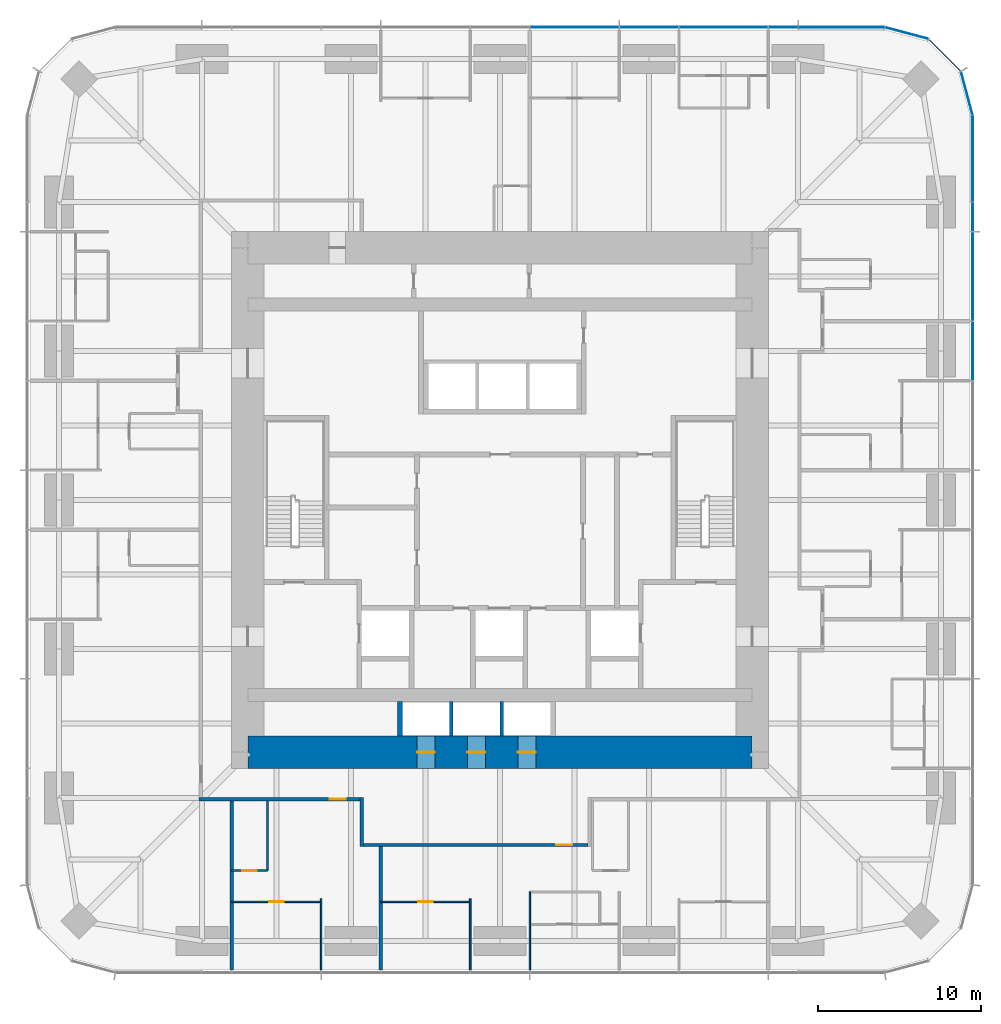
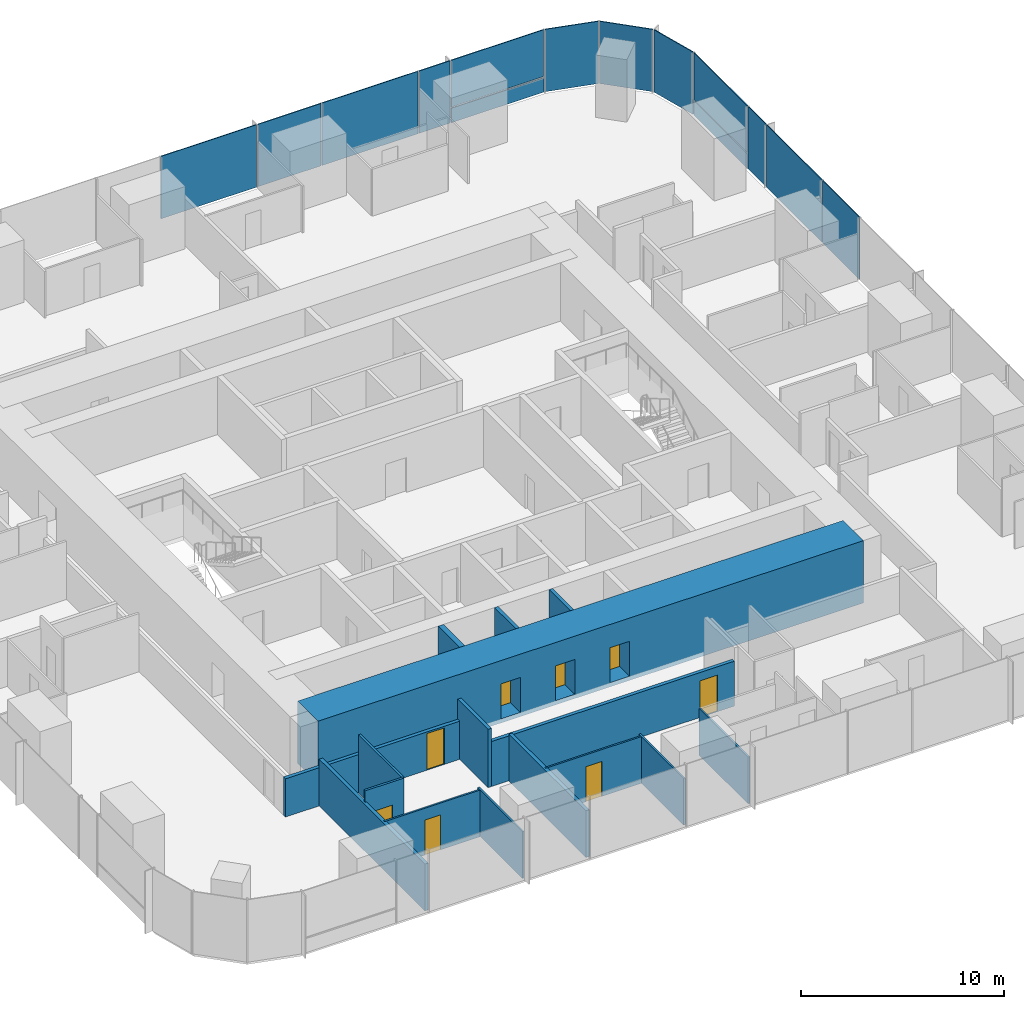
# One storey, part 8 of 13: 16 walls, 14 plates, 8 doors, 8 openings, 3 elements without a shape of their own.
"""IFC4 building model written with IfcOpenShell, lengths in metres."""

from ifc_helpers import new_model, si_unit, direction, frame, frame_2d, origin, origin_2d, place, context, subcontext, project, spatial, rectangle, extrude, material, layer, layer_set, type_object, element, fill, aggregate, save


model = new_model("IFC4")

# Units and contexts
model_context = context("Model", 3, precision=1e-05, world=origin(), true_north=direction((0.0, 1.0)))
body_context = subcontext(model_context, "Body", "Model", "MODEL_VIEW")
ifc_project = project(units=[si_unit("LENGTHUNIT", "METRE"), si_unit("AREAUNIT", "SQUARE_METRE"), si_unit("VOLUMEUNIT", "CUBIC_METRE"), si_unit("PLANEANGLEUNIT", "RADIAN"), si_unit("MASSUNIT", "GRAM", prefix="KILO")], contexts=[model_context])

# Site, building, storey
site_placement = place(None, origin())
site = spatial("IfcSite", under=ifc_project, at=site_placement, CompositionType="ELEMENT")
building_placement = place(site_placement, origin())
building = spatial("IfcBuilding", under=site, at=building_placement, Name="Khuree Lantern Residences", CompositionType="ELEMENT")
storey_placement = place(building_placement, frame((0.0, 0.0, 133.5)))
storey = spatial("IfcBuildingStorey", under=building, at=storey_placement, Name="L33", CompositionType="ELEMENT", Elevation=133.5)

# Curtain wall, plates
ifc_material_1 = material(Name="Bronze anodised aluminium", Category="aluminium")
curtain_wall_type_1 = type_object("IfcCurtainWallType", Name="CW-T2 TOWER CORNER CURTAIN WALL", PredefinedType="USERDEFINED", material=ifc_material_1)
curtain_wall_1_placement = place(storey_placement, origin())
curtain_wall_1 = element("IfcCurtainWall", 1, at=curtain_wall_1_placement, inside=storey, type_object=curtain_wall_type_1, Name="L33 NORTH-EAST CORNER CURTAIN WALL", ObjectType="Faceted corner curtain wall", PredefinedType="USERDEFINED")
ifc_material_2 = material(Name="Bronze tinted triple glazing", Category="glass")
ifc_layer_1 = layer(ifc_material_2, 0.048095703125)
ifc_layer_set_1 = layer_set([ifc_layer_1], Name="FACET PANEL P4")
plate_type_1 = type_object("IfcPlateType", Name="FACET PANEL P4", PredefinedType="CURTAIN_PANEL", material=ifc_layer_set_1)
plate_1_placement = place(storey_placement, frame((28.688720703125, 24.998046875, 0.0), z_axis=(0.0, 0.0, 1.0), x_axis=(-0.258819105321, 0.965925810153, 0.0)))
plate_1 = element("IfcPlate", 2, at=plate_1_placement, type_object=plate_type_1, Name="L33 NORTH-EAST CORNER PANEL 15.1", PredefinedType="CURTAIN_PANEL", context=body_context, shape_type="SweptSolid", body=[
    extrude(rectangle(XDim=2.71923828125, YDim=0.048095703125, at=origin_2d()), origin(), (0.0, 0.0, 1.0), 3.75),
])
plate_2_placement = place(storey_placement, frame((27.33837890625, 27.33837890625, 0.0), z_axis=(0.0, 0.0, 1.0), x_axis=(-0.707106781187, 0.707106781187, 0.0)))
plate_2 = element("IfcPlate", 3, at=plate_2_placement, type_object=plate_type_1, Name="L33 NORTH-EAST CORNER PANEL 16.1", PredefinedType="CURTAIN_PANEL", context=body_context, shape_type="SweptSolid", body=[
    extrude(rectangle(XDim=2.715087890625, YDim=0.048095703125, at=origin_2d()), origin(), (0.0, 0.0, 1.0), 3.75),
])
plate_3_placement = place(storey_placement, frame((24.998046875, 28.688720703125, 0.0), z_axis=(0.0, 0.0, 1.0), x_axis=(-0.965925810153, 0.258819105321, 0.0)))
plate_3 = element("IfcPlate", 4, at=plate_3_placement, type_object=plate_type_1, Name="L33 NORTH-EAST CORNER PANEL 17.1", PredefinedType="CURTAIN_PANEL", context=body_context, shape_type="SweptSolid", body=[
    extrude(rectangle(XDim=2.71923828125, YDim=0.048095703125, at=origin_2d()), origin(), (0.0, 0.0, 1.0), 3.75),
])
aggregate(curtain_wall_1, [plate_1, plate_2, plate_3])

# Curtain wall, plate
curtain_wall_type_2 = type_object("IfcCurtainWallType", Name="CW-T1 TOWER FACE CURTAIN WALL", PredefinedType="USERDEFINED", material=ifc_material_1)
curtain_wall_2_placement = place(storey_placement, origin())
curtain_wall_2 = element("IfcCurtainWall", 5, at=curtain_wall_2_placement, inside=storey, type_object=curtain_wall_type_2, Name="L33 EAST FACE CURTAIN WALL", ObjectType="Stick-built curtain wall", PredefinedType="USERDEFINED")
ifc_material_3 = material(Name="Bronze tinted triple glazing with a ceramic-fritted spandrel band", Category="glass")
ifc_layer_2 = layer(ifc_material_3, 0.048095703125)
ifc_layer_set_2 = layer_set([ifc_layer_2], Name="FIXED LIGHT PANEL P11")
plate_type_2 = type_object("IfcPlateType", Name="FIXED LIGHT PANEL P11", PredefinedType="CURTAIN_PANEL", material=ifc_layer_set_2)
plate_4_placement = place(storey_placement, frame((29.050048828125, 13.739990234375, 0.0), z_axis=(0.0, 0.0, 1.0), x_axis=(0.0, 1.0, 0.0)))
plate_4 = element("IfcPlate", 6, at=plate_4_placement, type_object=plate_type_2, Name="L33 EAST FACE PANEL 12.1", PredefinedType="CURTAIN_PANEL", context=body_context, shape_type="SweptSolid", body=[
    extrude(rectangle(XDim=5.430908203125, YDim=0.048095703125, at=origin_2d()), origin(), (0.0, 0.0, 1.0), 3.75),
])

# Curtain wall, plates
curtain_wall_3_placement = place(storey_placement, origin())
curtain_wall_3 = element("IfcCurtainWall", 7, at=curtain_wall_3_placement, inside=storey, type_object=curtain_wall_type_2, Name="L33 NORTH FACE CURTAIN WALL", ObjectType="Stick-built curtain wall", PredefinedType="USERDEFINED")
plate_5_placement = place(storey_placement, frame((13.739990234375, 29.050048828125, 0.0), z_axis=(0.0, 0.0, 1.0), x_axis=(-1.0, 0.0, 0.0)))
plate_5 = element("IfcPlate", 8, at=plate_5_placement, type_object=plate_type_2, Name="L33 NORTH FACE PANEL 20.1", PredefinedType="CURTAIN_PANEL", context=body_context, shape_type="SweptSolid", body=[
    extrude(rectangle(XDim=5.430908203125, YDim=0.048095703125, at=origin_2d()), origin(), (0.0, 0.0, 1.0), 3.75),
])
plate_6_placement = place(storey_placement, frame((4.580078125, 29.050048828125, 0.0), z_axis=(0.0, 0.0, 1.0), x_axis=(-1.0, 0.0, 0.0)))
plate_6 = element("IfcPlate", 9, at=plate_6_placement, type_object=plate_type_2, Name="L33 NORTH FACE PANEL 22.1", PredefinedType="CURTAIN_PANEL", context=body_context, shape_type="SweptSolid", body=[
    extrude(rectangle(XDim=5.430908203125, YDim=0.048095703125, at=origin_2d()), origin(), (0.0, 0.0, 1.0), 3.75),
])

# Plate
ifc_material_4 = material(Name="Bronze tinted triple glazing, two aluminium-framed sashes in one frame", Category="aluminium")
ifc_layer_3 = layer(ifc_material_4, 0.048095703125)
ifc_layer_set_3 = layer_set([ifc_layer_3], Name="SASH PAIR PANEL P12")
plate_type_3 = type_object("IfcPlateType", Name="SASH PAIR PANEL P12", PredefinedType="CURTAIN_PANEL", material=ifc_layer_set_3)
plate_7_placement = place(storey_placement, frame((29.050048828125, 9.159912109375, 0.0), z_axis=(0.0, 0.0, 1.0), x_axis=(0.0, 1.0, 0.0)))
plate_7 = element("IfcPlate", 10, at=plate_7_placement, type_object=plate_type_3, Name="L33 EAST FACE PANEL 11.1", PredefinedType="CURTAIN_PANEL", context=body_context, shape_type="SweptSolid", body=[
    extrude(rectangle(XDim=3.59912109375, YDim=0.048095703125, at=origin_2d()), origin(), (0.0, 0.0, 1.0), 3.75),
])

plate_8_placement = place(storey_placement, frame((9.159912109375, 29.050048828125, 0.0), z_axis=(0.0, 0.0, 1.0), x_axis=(-1.0, 0.0, 0.0)))
plate_8 = element("IfcPlate", 11, at=plate_8_placement, type_object=plate_type_3, Name="L33 NORTH FACE PANEL 21.1", PredefinedType="CURTAIN_PANEL", context=body_context, shape_type="SweptSolid", body=[
    extrude(rectangle(XDim=3.59912109375, YDim=0.048095703125, at=origin_2d()), origin(), (0.0, 0.0, 1.0), 3.75),
])

ifc_material_5 = material(Name="Bronze tinted triple glazing, aluminium-framed sash", Category="aluminium")
ifc_layer_4 = layer(ifc_material_5, 0.048095703125)
ifc_layer_set_4 = layer_set([ifc_layer_4], Name="SASH PANEL P3")
plate_type_4 = type_object("IfcPlateType", Name="SASH PANEL P3", PredefinedType="CURTAIN_PANEL", material=ifc_layer_set_4)
plate_9_placement = place(storey_placement, frame((29.050048828125, 17.404052734375, 0.0), z_axis=(0.0, 0.0, 1.0), x_axis=(0.0, 1.0, 0.0)))
plate_9 = element("IfcPlate", 12, at=plate_9_placement, type_object=plate_type_4, Name="L33 EAST FACE PANEL 13.1", PredefinedType="CURTAIN_PANEL", context=body_context, shape_type="SweptSolid", body=[
    extrude(rectangle(XDim=1.76708984375, YDim=0.048095703125, at=origin_2d()), origin(), (0.0, 0.0, 1.0), 3.75),
])

plate_10_placement = place(storey_placement, frame((17.404052734375, 29.050048828125, 0.0), z_axis=(0.0, 0.0, 1.0), x_axis=(-1.0, 0.0, 0.0)))
plate_10 = element("IfcPlate", 13, at=plate_10_placement, type_object=plate_type_4, Name="L33 NORTH FACE PANEL 19.1", PredefinedType="CURTAIN_PANEL", context=body_context, shape_type="SweptSolid", body=[
    extrude(rectangle(XDim=1.76708984375, YDim=0.048095703125, at=origin_2d()), origin(), (0.0, 0.0, 1.0), 3.75),
])

ifc_material_6 = material(Name="Bronze anodised aluminium insulated spandrel", Category="aluminium")
ifc_layer_5 = layer(ifc_material_6, 0.06005859375)
ifc_layer_set_5 = layer_set([ifc_layer_5], Name="SPANDREL PANEL P2")
plate_type_5 = type_object("IfcPlateType", Name="SPANDREL PANEL P2", PredefinedType="CURTAIN_PANEL", material=ifc_layer_set_5)
plate_11_placement = place(storey_placement, frame((29.050048828125, 20.98291015625, 0.0), z_axis=(0.0, 0.0, 1.0), x_axis=(0.0, 1.0, 0.0)))
plate_11 = element("IfcPlate", 14, at=plate_11_placement, type_object=plate_type_5, Name="L33 EAST FACE PANEL 14.1", PredefinedType="CURTAIN_PANEL", context=body_context, shape_type="SweptSolid", body=[
    extrude(rectangle(XDim=5.2607421875, YDim=0.06005859375, at=origin_2d()), origin(), (0.0, 0.0, 1.0), 0.867431640625),
])

plate_12_placement = place(storey_placement, frame((20.98291015625, 29.050048828125, 0.0), z_axis=(0.0, 0.0, 1.0), x_axis=(-1.0, 0.0, 0.0)))
plate_12 = element("IfcPlate", 15, at=plate_12_placement, type_object=plate_type_5, Name="L33 NORTH FACE PANEL 18.1", PredefinedType="CURTAIN_PANEL", context=body_context, shape_type="SweptSolid", body=[
    extrude(rectangle(XDim=5.2607421875, YDim=0.06005859375, at=origin_2d()), origin(), (0.0, 0.0, 1.0), 0.867431640625),
])

ifc_layer_6 = layer(ifc_material_2, 0.048095703125)
ifc_layer_set_6 = layer_set([ifc_layer_6], Name="VISION PANEL P1")
plate_type_6 = type_object("IfcPlateType", Name="VISION PANEL P1", PredefinedType="CURTAIN_PANEL", material=ifc_layer_set_6)
plate_13_placement = place(storey_placement, frame((29.050048828125, 20.9833984375, 0.9326171875), z_axis=(0.0, 0.0, 1.0), x_axis=(0.0, 1.0, 0.0)))
plate_13 = element("IfcPlate", 16, at=plate_13_placement, type_object=plate_type_6, Name="L33 EAST FACE PANEL 14.2", PredefinedType="CURTAIN_PANEL", context=body_context, shape_type="SweptSolid", body=[
    extrude(rectangle(XDim=5.261474609375, YDim=0.048095703125, at=origin_2d()), origin(), (0.0, 0.0, 1.0), 2.8173828125),
])

aggregate(curtain_wall_2, [plate_7, plate_4, plate_9, plate_11, plate_13])

plate_14_placement = place(storey_placement, frame((20.9833984375, 29.050048828125, 0.9326171875), z_axis=(0.0, 0.0, 1.0), x_axis=(-1.0, 0.0, 0.0)))
plate_14 = element("IfcPlate", 17, at=plate_14_placement, type_object=plate_type_6, Name="L33 NORTH FACE PANEL 18.2", PredefinedType="CURTAIN_PANEL", context=body_context, shape_type="SweptSolid", body=[
    extrude(rectangle(XDim=5.261474609375, YDim=0.048095703125, at=origin_2d()), origin(), (0.0, 0.0, 1.0), 2.8173828125),
])

aggregate(curtain_wall_3, [plate_12, plate_14, plate_10, plate_5, plate_8, plate_6])

# Wall, opening, door
ifc_material_7 = material(Name="Moisture-resistant gypsum board on steel studs", Category="steel")
ifc_layer_7 = layer(ifc_material_7, 0.125)
ifc_layer_set_7 = layer_set([ifc_layer_7], Name="BATHROOM WALL BTW125")
wall_type_1 = type_object("IfcWallType", Name="BATHROOM WALL BTW125", PredefinedType="PARTITIONING", material=ifc_layer_set_7)
wall_1_placement = place(storey_placement, frame((-16.488037109375, -22.77978515625, 0.0), z_axis=(0.0, 0.0, 1.0), x_axis=(1.0, 0.0, 0.0)))
wall_1 = element("IfcWall", 18, at=wall_1_placement, inside=storey, type_object=wall_type_1, Name="L33 BATHROOM WALL 07", PredefinedType="PARTITIONING", context=body_context, shape_type="SweptSolid", body=[
    extrude(rectangle(XDim=2.199951171875, YDim=0.125, at=frame_2d((1.10009765625, 0.0))), origin(), (0.0, 0.0, 1.0), 3.5),
])
opening_1_placement = place(wall_1_placement, frame((0.64990234375, 0.0, 0.0)))
opening_1 = element("IfcOpeningElement", 19, at=opening_1_placement, cuts=wall_1, Name="Opening 33-047", PredefinedType="OPENING", context=body_context, shape_type="SweptSolid", body=[
    extrude(rectangle(XDim=0.89990234375, YDim=2.10009765625, at=frame_2d((0.449951171875, 1.050048828125))), frame((0.0, 0.072509765625, 0.0), z_axis=(0.0, -1.0, 0.0), x_axis=(1.0, 0.0, 0.0)), (0.0, 0.0, 1.0), 0.14501953125),
])
ifc_material_8 = material(Name="Timber door leaf in hardwood frame", Category="wood")
door_type_1 = type_object("IfcDoorType", Name="BATHROOM DOOR 900X2100", OperationType="SINGLE_SWING_LEFT", PredefinedType="DOOR", material=ifc_material_8)
door_1_placement = place(opening_1_placement, origin())
door_1 = element("IfcDoor", 20, at=door_1_placement, inside=storey, type_object=door_type_1, Name="Bathroom door 33-047", OperationType="SINGLE_SWING_LEFT", OverallHeight=2.10009765625, OverallWidth=0.89990234375, PredefinedType="DOOR", context=body_context, shape_type="SweptSolid", body=[
    extrude(rectangle(XDim=0.89990234375, YDim=2.10009765625, at=frame_2d((0.449951171875, 1.050048828125))), frame((0.0, 0.02490234375, 0.0), z_axis=(0.0, -1.0, 0.0), x_axis=(1.0, 0.0, 0.0)), (0.0, 0.0, 1.0), 0.050048828125),
])
fill(opening_1, door_1)

# Walls
wall_2_placement = place(storey_placement, frame((-14.2880859375, -18.5, 0.0), z_axis=(0.0, 0.0, 1.0), x_axis=(0.0, -1.0, 0.0)))
element("IfcWall", 21, at=wall_2_placement, inside=storey, type_object=wall_type_1, Name="L33 BATHROOM WALL 07", PredefinedType="PARTITIONING", context=body_context, shape_type="SweptSolid", body=[
    extrude(rectangle(XDim=4.27978515625, YDim=0.125, at=frame_2d((2.139892578125, 0.0))), origin(), (0.0, 0.0, 1.0), 3.5),
])
ifc_material_9 = material(Name="Dense concrete blockwork", Category="masonry")
ifc_layer_8 = layer(ifc_material_9, 0.300048828125)
ifc_layer_set_8 = layer_set([ifc_layer_8], Name="CORE PARTITION WALL CPW300 EI 120")
wall_type_2 = type_object("IfcWallType", Name="CORE PARTITION WALL CPW300 EI 120", PredefinedType="PARTITIONING", material=ifc_layer_set_8)
wall_3_placement = place(storey_placement, frame((-6.14990234375, -14.5, 0.0), z_axis=(0.0, 0.0, 1.0), x_axis=(0.0, 1.0, 0.0)))
element("IfcWall", 22, at=wall_3_placement, inside=storey, type_object=wall_type_2, Name="L33 CORE WALL PMW", PredefinedType="PARTITIONING", context=body_context, shape_type="SweptSolid", body=[
    extrude(rectangle(XDim=2.10009765625, YDim=0.300048828125, at=frame_2d((1.050048828125, 0.0))), origin(), (0.0, 0.0, 1.0), 3.5),
])
ifc_material_10 = material(Name="Gypsum board on steel studs", Category="steel")
ifc_layer_9 = layer(ifc_material_10, 0.199951171875)
ifc_layer_set_9 = layer_set([ifc_layer_9], Name="CORRIDOR WALL CRW200 EI 60")
wall_type_3 = type_object("IfcWallType", Name="CORRIDOR WALL CRW200 EI 60", PredefinedType="PARTITIONING", material=ifc_layer_set_9)
wall_4_placement = place(storey_placement, frame((-8.5, -18.300048828125, 0.0), z_axis=(0.0, 0.0, 1.0), x_axis=(0.0, -1.0, 0.0)))
element("IfcWall", 23, at=wall_4_placement, inside=storey, type_object=wall_type_3, Name="L33 LIFT LOBBY WALL", PredefinedType="PARTITIONING", context=body_context, shape_type="SweptSolid", body=[
    extrude(rectangle(XDim=3.0, YDim=0.199951171875, at=frame_2d((1.5, 0.0))), origin(), (0.0, 0.0, 1.0), 3.5),
])

# Wall, opening, door
wall_5_placement = place(storey_placement, frame((5.39990234375, -21.199951171875, 0.0), z_axis=(0.0, 0.0, 1.0), x_axis=(-1.0, 0.0, 0.0)))
wall_5 = element("IfcWall", 24, at=wall_5_placement, inside=storey, type_object=wall_type_3, Name="L33 LIFT LOBBY WALL", PredefinedType="PARTITIONING", context=body_context, shape_type="SweptSolid", body=[
    extrude(rectangle(XDim=13.7998046875, YDim=0.199951171875, at=frame_2d((6.89990234375, 0.0))), origin(), (0.0, 0.0, 1.0), 2.699951171875),
])
opening_2_placement = place(wall_5_placement, frame((0.9580078125, 0.0, 0.0)))
opening_2 = element("IfcOpeningElement", 25, at=opening_2_placement, cuts=wall_5, Name="Opening 33-054", PredefinedType="OPENING", context=body_context, shape_type="SweptSolid", body=[
    extrude(rectangle(XDim=1.0, YDim=2.199951171875, at=frame_2d((0.5, 1.10009765625))), frame((0.0, 0.10986328125, 0.0), z_axis=(0.0, -1.0, 0.0), x_axis=(1.0, 0.0, 0.0)), (0.0, 0.0, 1.0), 0.219970703125),
])
door_type_2 = type_object("IfcDoorType", Name="APARTMENT ENTRANCE DOOR 1000X2200 EI 30S", OperationType="SINGLE_SWING_LEFT", PredefinedType="DOOR", material=ifc_material_8)
door_2_placement = place(opening_2_placement, origin())
door_2 = element("IfcDoor", 26, at=door_2_placement, inside=storey, type_object=door_type_2, Name="Apartment 08 entrance door 33-054", OperationType="SINGLE_SWING_LEFT", OverallHeight=2.199951171875, OverallWidth=1.0, PredefinedType="DOOR", context=body_context, shape_type="SweptSolid", body=[
    extrude(rectangle(XDim=1.0, YDim=2.199951171875, at=frame_2d((0.5, 1.10009765625))), frame((0.0, 0.02490234375, 0.0), z_axis=(0.0, -1.0, 0.0), x_axis=(1.0, 0.0, 0.0)), (0.0, 0.0, 1.0), 0.050048828125),
])
fill(opening_2, door_2)

wall_6_placement = place(storey_placement, frame((-8.60009765625, -18.39990234375, 0.0), z_axis=(0.0, 0.0, 1.0), x_axis=(-1.0, 0.0, 0.0)))
wall_6 = element("IfcWall", 27, at=wall_6_placement, inside=storey, type_object=wall_type_3, Name="L33 CORRIDOR WALL SOUTH 2", PredefinedType="PARTITIONING", context=body_context, shape_type="SweptSolid", body=[
    extrude(rectangle(XDim=9.89990234375, YDim=0.199951171875, at=frame_2d((4.949951171875, 0.0))), origin(), (0.0, 0.0, 1.0), 2.300048828125),
])
opening_3_placement = place(wall_6_placement, frame((0.867919921875, 0.0, 0.0)))
opening_3 = element("IfcOpeningElement", 28, at=opening_3_placement, cuts=wall_6, Name="Opening 33-048", PredefinedType="OPENING", context=body_context, shape_type="SweptSolid", body=[
    extrude(rectangle(XDim=1.0, YDim=2.199951171875, at=frame_2d((0.5, 1.10009765625))), frame((0.0, 0.10986328125, 0.0), z_axis=(0.0, -1.0, 0.0), x_axis=(1.0, 0.0, 0.0)), (0.0, 0.0, 1.0), 0.219970703125),
])
door_3_placement = place(opening_3_placement, origin())
door_3 = element("IfcDoor", 29, at=door_3_placement, inside=storey, type_object=door_type_2, Name="Apartment 07 entrance door 33-048", OperationType="SINGLE_SWING_LEFT", OverallHeight=2.199951171875, OverallWidth=1.0, PredefinedType="DOOR", context=body_context, shape_type="SweptSolid", body=[
    extrude(rectangle(XDim=1.0, YDim=2.199951171875, at=frame_2d((0.5, 1.10009765625))), frame((0.0, 0.02490234375, 0.0), z_axis=(0.0, -1.0, 0.0), x_axis=(1.0, 0.0, 0.0)), (0.0, 0.0, 1.0), 0.050048828125),
])
fill(opening_3, door_3)

# Wall, openings, doors
ifc_material_11 = material(Name="Concrete C70/85", Category="concrete")
ifc_layer_10 = layer(ifc_material_11, 2.0)
ifc_layer_set_10 = layer_set([ifc_layer_10], Name="CW2000-C70 CORE WALL C70 2000")
wall_type_4 = type_object("IfcWallType", Name="CW2000-C70 CORE WALL C70 2000", PredefinedType="SHEAR", material=ifc_layer_set_10)
wall_7_placement = place(storey_placement, frame((-15.5, -15.5, -0.25), z_axis=(0.0, 0.0, 1.0), x_axis=(1.0, 0.0, 0.0)))
wall_7 = element("IfcWall", 30, at=wall_7_placement, inside=storey, type_object=wall_type_4, Name="Core wall S", PredefinedType="SHEAR", context=body_context, shape_type="SweptSolid", body=[
    extrude(rectangle(XDim=31.0, YDim=2.0, at=frame_2d((15.5, 0.0))), origin(), (0.0, 0.0, 1.0), 3.75),
])
opening_4_placement = place(wall_7_placement, frame((10.39990234375, 0.0, 0.25)))
opening_4 = element("IfcOpeningElement", 31, at=opening_4_placement, cuts=wall_7, Name="Opening 33-009", PredefinedType="OPENING", context=body_context, shape_type="SweptSolid", body=[
    extrude(rectangle(XDim=1.10009765625, YDim=2.10009765625, at=frame_2d((0.550048828125, 1.050048828125))), frame((0.0, 1.010009765625, 0.0), z_axis=(0.0, -1.0, 0.0), x_axis=(1.0, 0.0, 0.0)), (0.0, 0.0, 1.0), 2.02001953125),
])
opening_5_placement = place(wall_7_placement, frame((13.5, 0.0, 0.25)))
opening_5 = element("IfcOpeningElement", 32, at=opening_5_placement, cuts=wall_7, Name="Opening 33-010", PredefinedType="OPENING", context=body_context, shape_type="SweptSolid", body=[
    extrude(rectangle(XDim=1.10009765625, YDim=2.10009765625, at=frame_2d((0.550048828125, 1.050048828125))), frame((0.0, 1.010009765625, 0.0), z_axis=(0.0, -1.0, 0.0), x_axis=(1.0, 0.0, 0.0)), (0.0, 0.0, 1.0), 2.02001953125),
])
opening_6_placement = place(wall_7_placement, frame((16.60009765625, 0.0, 0.25)))
opening_6 = element("IfcOpeningElement", 33, at=opening_6_placement, cuts=wall_7, Name="Opening 33-011", PredefinedType="OPENING", context=body_context, shape_type="SweptSolid", body=[
    extrude(rectangle(XDim=1.10009765625, YDim=2.10009765625, at=frame_2d((0.550048828125, 1.050048828125))), frame((0.0, 1.010009765625, 0.0), z_axis=(0.0, -1.0, 0.0), x_axis=(1.0, 0.0, 0.0)), (0.0, 0.0, 1.0), 2.02001953125),
])
ifc_material_12 = material(Name="Stainless steel lift landing door", Category="steel")
door_type_3 = type_object("IfcDoorType", Name="LIFT LANDING DOOR 1100X2100 E 60", OperationType="DOUBLE_DOOR_SLIDING", PredefinedType="DOOR", material=ifc_material_12)
door_4_placement = place(opening_4_placement, origin())
door_4 = element("IfcDoor", 34, at=door_4_placement, inside=storey, type_object=door_type_3, Name="Landing door PM1 33-009", OperationType="DOUBLE_DOOR_SLIDING", OverallHeight=2.10009765625, OverallWidth=1.10009765625, PredefinedType="DOOR", context=body_context, shape_type="SweptSolid", body=[
    extrude(rectangle(XDim=1.10009765625, YDim=2.10009765625, at=frame_2d((0.550048828125, 1.050048828125))), frame((0.0, 0.02490234375, 0.0), z_axis=(0.0, -1.0, 0.0), x_axis=(1.0, 0.0, 0.0)), (0.0, 0.0, 1.0), 0.050048828125),
])
fill(opening_4, door_4)
door_5_placement = place(opening_5_placement, origin())
door_5 = element("IfcDoor", 35, at=door_5_placement, inside=storey, type_object=door_type_3, Name="Landing door PM2 33-010", OperationType="DOUBLE_DOOR_SLIDING", OverallHeight=2.10009765625, OverallWidth=1.10009765625, PredefinedType="DOOR", context=body_context, shape_type="SweptSolid", body=[
    extrude(rectangle(XDim=1.10009765625, YDim=2.10009765625, at=frame_2d((0.550048828125, 1.050048828125))), frame((0.0, 0.02490234375, 0.0), z_axis=(0.0, -1.0, 0.0), x_axis=(1.0, 0.0, 0.0)), (0.0, 0.0, 1.0), 0.050048828125),
])
fill(opening_5, door_5)
door_6_placement = place(opening_6_placement, origin())
door_6 = element("IfcDoor", 36, at=door_6_placement, inside=storey, type_object=door_type_3, Name="Landing door PM3 33-011", OperationType="DOUBLE_DOOR_SLIDING", OverallHeight=2.10009765625, OverallWidth=1.10009765625, PredefinedType="DOOR", context=body_context, shape_type="SweptSolid", body=[
    extrude(rectangle(XDim=1.10009765625, YDim=2.10009765625, at=frame_2d((0.550048828125, 1.050048828125))), frame((0.0, 0.02490234375, 0.0), z_axis=(0.0, -1.0, 0.0), x_axis=(1.0, 0.0, 0.0)), (0.0, 0.0, 1.0), 0.050048828125),
])
fill(opening_6, door_6)

# Walls
ifc_layer_11 = layer(ifc_material_10, 0.199951171875)
ifc_layer_set_11 = layer_set([ifc_layer_11], Name="DEMISING WALL DMW200 EI 90")
wall_type_5 = type_object("IfcWallType", Name="DEMISING WALL DMW200 EI 90", PredefinedType="PARTITIONING", material=ifc_layer_set_11)
wall_8_placement = place(storey_placement, frame((-16.488037109375, -18.5, 0.0), z_axis=(0.0, 0.0, 1.0), x_axis=(0.0, -1.0, 0.0)))
element("IfcWall", 37, at=wall_8_placement, inside=storey, type_object=wall_type_5, Name="L33 DEMISING WALL 07", PredefinedType="PARTITIONING", context=body_context, shape_type="SweptSolid", body=[
    extrude(rectangle(XDim=10.39990234375, YDim=0.199951171875, at=frame_2d((5.199951171875, 0.0))), origin(), (0.0, 0.0, 1.0), 2.81005859375),
])
wall_9_placement = place(storey_placement, frame((-7.327880859375, -21.300048828125, 0.0), z_axis=(0.0, 0.0, 1.0), x_axis=(0.0, -1.0, 0.0)))
element("IfcWall", 38, at=wall_9_placement, inside=storey, type_object=wall_type_5, Name="L33 DEMISING WALL 08", PredefinedType="PARTITIONING", context=body_context, shape_type="SweptSolid", body=[
    extrude(rectangle(XDim=7.599853515625, YDim=0.199951171875, at=frame_2d((3.7998046875, 0.0))), origin(), (0.0, 0.0, 1.0), 2.81005859375),
])
ifc_layer_12 = layer(ifc_material_10, 0.10009765625)
ifc_layer_set_12 = layer_set([ifc_layer_12], Name="PARTITION PT100")
wall_type_6 = type_object("IfcWallType", Name="PARTITION PT100", PredefinedType="PARTITIONING", material=ifc_layer_set_12)
for number, where, z_axis, x_axis, name in (
    (39, (-10.991943359375, -24.5, 0.0), (0.0, 0.0, 1.0), (0.0, -1.0, 0.0), "L33 PARTITION 07"),
    (40, (-1.83203125, -24.5, 0.0), (0.0, 0.0, 1.0), (0.0, -1.0, 0.0), "L33 PARTITION 08"),
):
    element("IfcWall", number, at=place(storey_placement, frame(where, z_axis=z_axis, x_axis=x_axis)), inside=storey, type_object=wall_type_6, Name=name, PredefinedType="PARTITIONING", context=body_context, shape_type="SweptSolid", body=[
        extrude(rectangle(XDim=4.39990234375, YDim=0.10009765625, at=frame_2d((2.199951171875, 0.0))), origin(), (0.0, 0.0, 1.0), 2.81005859375),
    ])
wall_10_placement = place(storey_placement, frame((1.83203125, -24.079833984375, 0.0), z_axis=(0.0, 0.0, 1.0), x_axis=(0.0, -1.0, 0.0)))
element("IfcWall", 41, at=wall_10_placement, inside=storey, type_object=wall_type_6, Name="L33 PARTITION 08", PredefinedType="PARTITIONING", context=body_context, shape_type="SweptSolid", body=[
    extrude(rectangle(XDim=4.820068359375, YDim=0.10009765625, at=frame_2d((2.41015625, 0.0))), origin(), (0.0, 0.0, 1.0), 2.81005859375),
])

# Wall, opening, door
wall_11_placement = place(storey_placement, frame((-16.488037109375, -24.699951171875, 0.0), z_axis=(0.0, 0.0, 1.0), x_axis=(1.0, 0.0, 0.0)))
wall_11 = element("IfcWall", 42, at=wall_11_placement, inside=storey, type_object=wall_type_6, Name="L33 PARTITION 07", PredefinedType="PARTITIONING", context=body_context, shape_type="SweptSolid", body=[
    extrude(rectangle(XDim=5.49609375, YDim=0.10009765625, at=frame_2d((2.748046875, 0.0))), origin(), (0.0, 0.0, 1.0), 2.81005859375),
])
opening_7_placement = place(wall_11_placement, frame((2.298095703125, 0.0, 0.0)))
opening_7 = element("IfcOpeningElement", 43, at=opening_7_placement, cuts=wall_11, Name="Opening 33-046", PredefinedType="OPENING", context=body_context, shape_type="SweptSolid", body=[
    extrude(rectangle(XDim=0.89990234375, YDim=2.10009765625, at=frame_2d((0.449951171875, 1.050048828125))), frame((0.0, 0.06005859375, 0.0), z_axis=(0.0, -1.0, 0.0), x_axis=(1.0, 0.0, 0.0)), (0.0, 0.0, 1.0), 0.1201171875),
])
door_type_4 = type_object("IfcDoorType", Name="BEDROOM DOOR 900X2100", OperationType="SINGLE_SWING_LEFT", PredefinedType="DOOR", material=ifc_material_8)
door_7_placement = place(opening_7_placement, origin())
door_7 = element("IfcDoor", 44, at=door_7_placement, inside=storey, type_object=door_type_4, Name="Bedroom door 33-046", OperationType="SINGLE_SWING_LEFT", OverallHeight=2.10009765625, OverallWidth=0.89990234375, PredefinedType="DOOR", context=body_context, shape_type="SweptSolid", body=[
    extrude(rectangle(XDim=0.89990234375, YDim=2.10009765625, at=frame_2d((0.449951171875, 1.050048828125))), frame((0.0, 0.02490234375, 0.0), z_axis=(0.0, -1.0, 0.0), x_axis=(1.0, 0.0, 0.0)), (0.0, 0.0, 1.0), 0.050048828125),
])
fill(opening_7, door_7)

wall_12_placement = place(storey_placement, frame((-7.327880859375, -24.699951171875, 0.0), z_axis=(0.0, 0.0, 1.0), x_axis=(1.0, 0.0, 0.0)))
wall_12 = element("IfcWall", 45, at=wall_12_placement, inside=storey, type_object=wall_type_6, Name="L33 PARTITION 08", PredefinedType="PARTITIONING", context=body_context, shape_type="SweptSolid", body=[
    extrude(rectangle(XDim=5.495849609375, YDim=0.10009765625, at=frame_2d((2.748046875, 0.0))), origin(), (0.0, 0.0, 1.0), 2.81005859375),
])
opening_8_placement = place(wall_12_placement, frame((2.298095703125, 0.0, 0.0)))
opening_8 = element("IfcOpeningElement", 46, at=opening_8_placement, cuts=wall_12, Name="Opening 33-049", PredefinedType="OPENING", context=body_context, shape_type="SweptSolid", body=[
    extrude(rectangle(XDim=0.89990234375, YDim=2.10009765625, at=frame_2d((0.449951171875, 1.050048828125))), frame((0.0, 0.06005859375, 0.0), z_axis=(0.0, -1.0, 0.0), x_axis=(1.0, 0.0, 0.0)), (0.0, 0.0, 1.0), 0.1201171875),
])
door_8_placement = place(opening_8_placement, origin())
door_8 = element("IfcDoor", 47, at=door_8_placement, inside=storey, type_object=door_type_4, Name="Bedroom door 33-049", OperationType="SINGLE_SWING_LEFT", OverallHeight=2.10009765625, OverallWidth=0.89990234375, PredefinedType="DOOR", context=body_context, shape_type="SweptSolid", body=[
    extrude(rectangle(XDim=0.89990234375, YDim=2.10009765625, at=frame_2d((0.449951171875, 1.050048828125))), frame((0.0, 0.02490234375, 0.0), z_axis=(0.0, -1.0, 0.0), x_axis=(1.0, 0.0, 0.0)), (0.0, 0.0, 1.0), 0.050048828125),
])
fill(opening_8, door_8)

# Walls
ifc_layer_13 = layer(ifc_material_9, 0.199951171875)
ifc_layer_set_13 = layer_set([ifc_layer_13], Name="SHAFT WALL SHW200 EI 120")
wall_type_7 = type_object("IfcWallType", Name="SHAFT WALL SHW200 EI 120", PredefinedType="PARTITIONING", material=ifc_layer_set_13)
for number, where, z_axis, x_axis, name in (
    (48, (-3.0, -14.5, 0.0), (0.0, 0.0, 1.0), (0.0, 1.0, 0.0), "L33 CORE WALL PMD1"),
    (49, (0.10009765625, -14.5, 0.0), (0.0, 0.0, 1.0), (0.0, 1.0, 0.0), "L33 CORE WALL PMD2"),
):
    element("IfcWall", number, at=place(storey_placement, frame(where, z_axis=z_axis, x_axis=x_axis)), inside=storey, type_object=wall_type_7, Name=name, PredefinedType="PARTITIONING", context=body_context, shape_type="SweptSolid", body=[
        extrude(rectangle(XDim=2.10009765625, YDim=0.199951171875, at=frame_2d((1.050048828125, 0.0))), origin(), (0.0, 0.0, 1.0), 3.5),
    ])

save(model, "model.ifc")
